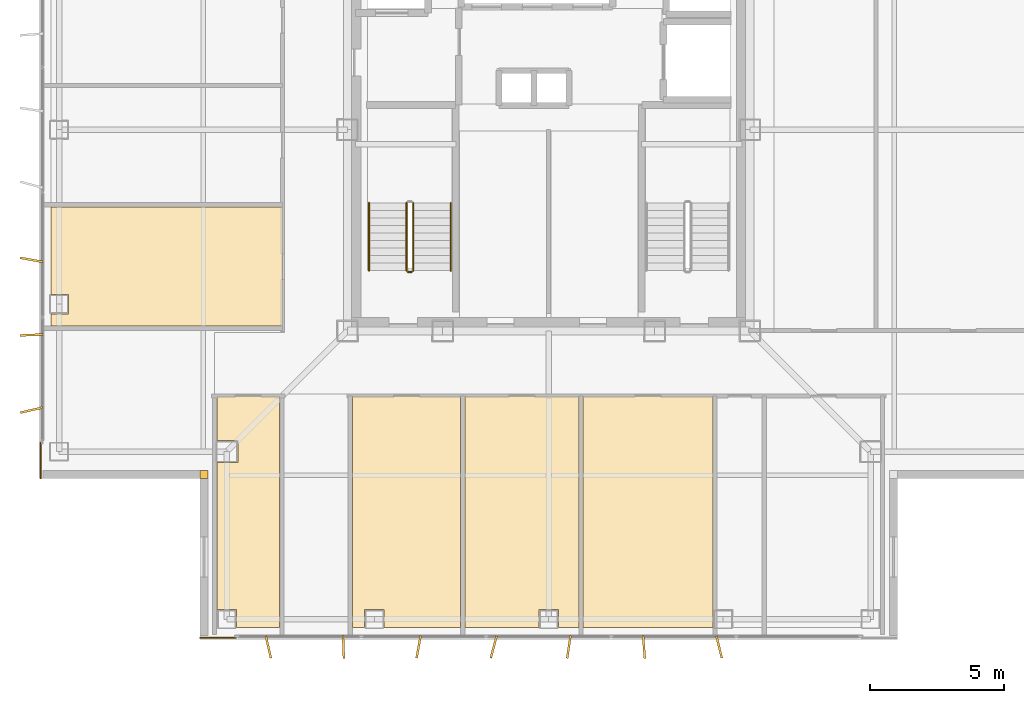
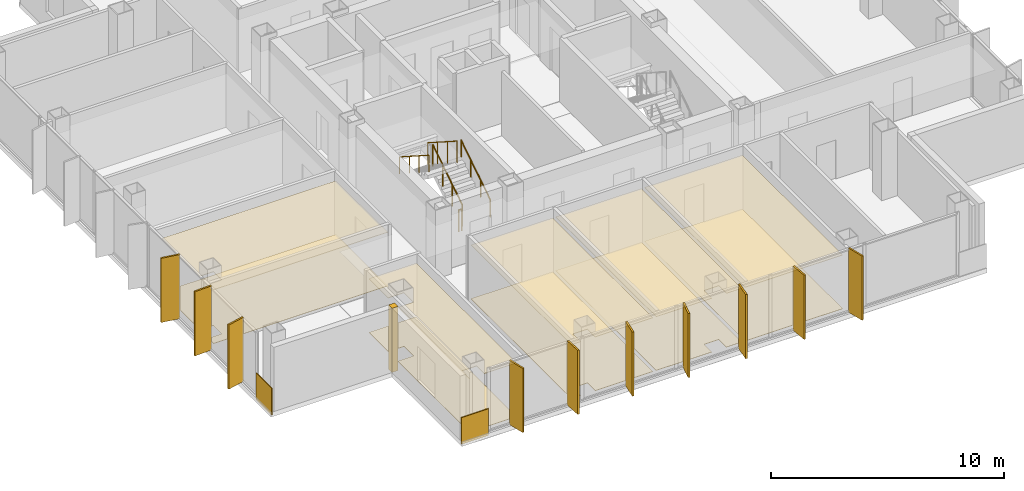
# One storey, part 10 of 15: 13 coverings, 10 shading devices, 5 railings.
"""IFC4 building model written with IfcOpenShell, lengths in metres."""

from ifc_helpers import new_model, si_unit, direction, frame, frame_2d, origin, origin_2d, place, context, subcontext, project, spatial, polyline, rectangle, circle, outline, extrude, material, layer, layer_set, type_object, element, save


model = new_model("IFC4")

# Units and contexts
model_context = context("Model", 3, precision=1e-05, world=origin(), true_north=direction((0.0, 1.0)))
body_context = subcontext(model_context, "Body", "Model", "MODEL_VIEW")
ifc_project = project(units=[si_unit("LENGTHUNIT", "METRE"), si_unit("AREAUNIT", "SQUARE_METRE"), si_unit("VOLUMEUNIT", "CUBIC_METRE"), si_unit("PLANEANGLEUNIT", "RADIAN"), si_unit("MASSUNIT", "GRAM", prefix="KILO")], contexts=[model_context])

# Site, building, storey
site_placement = place(None, origin())
site = spatial("IfcSite", under=ifc_project, at=site_placement, CompositionType="ELEMENT")
building_placement = place(site_placement, origin())
building = spatial("IfcBuilding", under=site, at=building_placement, Name="Trevonay Congress Spire", CompositionType="ELEMENT")
storey_placement = place(building_placement, frame((0.0, 0.0, 239.60009765625)))
storey = spatial("IfcBuildingStorey", under=building, at=storey_placement, Name="L62", CompositionType="ELEMENT", Elevation=239.60009765625)

# Coverings
ifc_material_1 = material(Name="Acoustic Mineral Fibre Board", Category="gypsum")
ifc_layer_1 = layer(ifc_material_1, 0.02490234375, Name="Acoustic Mineral Fibre Board")
ifc_layer_set_1 = layer_set([ifc_layer_1], Name="Acoustic Mineral Fibre Board")
covering_type_1 = type_object("IfcCoveringType", Name="COV-CEIL-ACOUSTIC", PredefinedType="CEILING", material=ifc_layer_set_1)
covering_1_placement = place(storey_placement, frame((0.0, 0.0, 2.809814453125)))
element("IfcCovering", 1, at=covering_1_placement, inside=storey, type_object=covering_type_1, Name="L62 Ambassador Corner Office acoustic suspended ceiling", PredefinedType="CEILING", context=body_context, shape_type="SweptSolid", body=[
    extrude(outline(polyline([(-12.3701171875, -18.550048828125), (-12.3701171875, -12.409912109375), (-11.590087890625, -12.409912109375), (-11.590087890625, -11.590087890625), (-12.3701171875, -11.590087890625), (-12.3701171875, -9.929931640625), (-10.030029296875, -9.929931640625), (-10.030029296875, -18.550048828125), (-11.639892578125, -18.550048828125), (-11.639892578125, -17.889892578125), (-12.360107421875, -17.889892578125), (-12.360107421875, -18.550048828125), (-12.3701171875, -18.550048828125)])), origin(), (0.0, 0.0, 1.0), 0.025146484375),
])
covering_2_placement = place(storey_placement, frame((0.0, 0.0, 2.809814453125)))
element("IfcCovering", 2, at=covering_2_placement, inside=storey, type_object=covering_type_1, Name="L62 Consular Visa Office acoustic suspended ceiling", PredefinedType="CEILING", context=body_context, shape_type="SweptSolid", body=[
    extrude(outline(polyline([(-7.320068359375, -18.550048828125), (-7.320068359375, -9.929931640625), (-3.280029296875, -9.929931640625), (-3.280029296875, -18.550048828125), (-6.139892578125, -18.550048828125), (-6.139892578125, -17.889892578125), (-6.860107421875, -17.889892578125), (-6.860107421875, -18.550048828125), (-7.320068359375, -18.550048828125)])), origin(), (0.0, 0.0, 1.0), 0.025146484375),
])
covering_3_placement = place(storey_placement, frame((0.0, 0.0, 2.809814453125)))
element("IfcCovering", 3, at=covering_3_placement, inside=storey, type_object=covering_type_1, Name="L62 Political Chancery Office acoustic suspended ceiling", PredefinedType="CEILING", context=body_context, shape_type="SweptSolid", body=[
    extrude(outline(polyline([(-3.1201171875, -18.550048828125), (-3.1201171875, -9.929931640625), (1.1201171875, -9.929931640625), (1.1201171875, -18.550048828125), (0.360107421875, -18.550048828125), (0.360107421875, -17.889892578125), (-0.360107421875, -17.889892578125), (-0.360107421875, -18.550048828125), (-3.1201171875, -18.550048828125)])), origin(), (0.0, 0.0, 1.0), 0.025146484375),
])
covering_4_placement = place(storey_placement, frame((0.0, 0.0, 2.809814453125)))
element("IfcCovering", 4, at=covering_4_placement, inside=storey, type_object=covering_type_1, Name="L62 Economic Attache Office acoustic suspended ceiling", PredefinedType="CEILING", context=body_context, shape_type="SweptSolid", body=[
    extrude(outline(polyline([(1.280029296875, -18.550048828125), (6.1201171875, -18.550048828125), (6.1201171875, -9.929931640625), (1.280029296875, -9.929931640625), (1.280029296875, -18.550048828125)])), origin(), (0.0, 0.0, 1.0), 0.025146484375),
])
covering_5_placement = place(storey_placement, frame((0.0, 0.0, 2.809814453125)))
element("IfcCovering", 5, at=covering_5_placement, inside=storey, type_object=covering_type_1, Name="L62 Cultural Attache Office acoustic suspended ceiling", PredefinedType="CEILING", context=body_context, shape_type="SweptSolid", body=[
    extrude(outline(polyline([(-18.550048828125, -2.8798828125), (-9.929931640625, -2.8798828125), (-9.929931640625, -7.320068359375), (-18.550048828125, -7.320068359375), (-18.550048828125, -6.860107421875), (-17.889892578125, -6.860107421875), (-17.889892578125, -6.139892578125), (-18.550048828125, -6.139892578125), (-18.550048828125, -2.8798828125)])), origin(), (0.0, 0.0, 1.0), 0.025146484375),
])
ifc_material_2 = material(Name="Engineered Oak Flooring", Category="wood")
ifc_layer_2 = layer(ifc_material_2, 0.01806640625, Name="Engineered Oak Flooring")
ifc_layer_set_2 = layer_set([ifc_layer_2], Name="Engineered Oak Flooring")
covering_type_2 = type_object("IfcCoveringType", Name="COV-FLOOR-TIMBER", PredefinedType="FLOORING", material=ifc_layer_set_2)
covering_6_placement = place(storey_placement, origin())
element("IfcCovering", 6, at=covering_6_placement, inside=storey, type_object=covering_type_2, Name="L62 Ambassador Corner Office floor finish", PredefinedType="FLOORING", context=body_context, shape_type="SweptSolid", body=[
    extrude(outline(polyline([(-12.3701171875, -18.550048828125), (-12.3701171875, -12.409912109375), (-11.590087890625, -12.409912109375), (-11.590087890625, -11.590087890625), (-12.3701171875, -11.590087890625), (-12.3701171875, -9.929931640625), (-10.030029296875, -9.929931640625), (-10.030029296875, -18.550048828125), (-11.639892578125, -18.550048828125), (-11.639892578125, -17.889892578125), (-12.360107421875, -17.889892578125), (-12.360107421875, -18.550048828125), (-12.3701171875, -18.550048828125)])), origin(), (0.0, 0.0, 1.0), 0.017822265625),
])
covering_7_placement = place(storey_placement, origin())
element("IfcCovering", 7, at=covering_7_placement, inside=storey, type_object=covering_type_2, Name="L62 Consular Visa Office floor finish", PredefinedType="FLOORING", context=body_context, shape_type="SweptSolid", body=[
    extrude(outline(polyline([(-7.320068359375, -18.550048828125), (-7.320068359375, -9.929931640625), (-3.280029296875, -9.929931640625), (-3.280029296875, -18.550048828125), (-6.139892578125, -18.550048828125), (-6.139892578125, -17.889892578125), (-6.860107421875, -17.889892578125), (-6.860107421875, -18.550048828125), (-7.320068359375, -18.550048828125)])), origin(), (0.0, 0.0, 1.0), 0.017822265625),
])
covering_8_placement = place(storey_placement, origin())
element("IfcCovering", 8, at=covering_8_placement, inside=storey, type_object=covering_type_2, Name="L62 Political Chancery Office floor finish", PredefinedType="FLOORING", context=body_context, shape_type="SweptSolid", body=[
    extrude(outline(polyline([(-3.1201171875, -18.550048828125), (-3.1201171875, -9.929931640625), (1.1201171875, -9.929931640625), (1.1201171875, -18.550048828125), (0.360107421875, -18.550048828125), (0.360107421875, -17.889892578125), (-0.360107421875, -17.889892578125), (-0.360107421875, -18.550048828125), (-3.1201171875, -18.550048828125)])), origin(), (0.0, 0.0, 1.0), 0.017822265625),
])
covering_9_placement = place(storey_placement, origin())
element("IfcCovering", 9, at=covering_9_placement, inside=storey, type_object=covering_type_2, Name="L62 Economic Attache Office floor finish", PredefinedType="FLOORING", context=body_context, shape_type="SweptSolid", body=[
    extrude(outline(polyline([(1.280029296875, -18.550048828125), (6.1201171875, -18.550048828125), (6.1201171875, -9.929931640625), (1.280029296875, -9.929931640625), (1.280029296875, -18.550048828125)])), origin(), (0.0, 0.0, 1.0), 0.017822265625),
])
covering_10_placement = place(storey_placement, origin())
element("IfcCovering", 10, at=covering_10_placement, inside=storey, type_object=covering_type_2, Name="L62 Cultural Attache Office floor finish", PredefinedType="FLOORING", context=body_context, shape_type="SweptSolid", body=[
    extrude(outline(polyline([(-18.550048828125, -2.8798828125), (-9.929931640625, -2.8798828125), (-9.929931640625, -7.320068359375), (-18.550048828125, -7.320068359375), (-18.550048828125, -6.860107421875), (-17.889892578125, -6.860107421875), (-17.889892578125, -6.139892578125), (-18.550048828125, -6.139892578125), (-18.550048828125, -2.8798828125)])), origin(), (0.0, 0.0, 1.0), 0.017822265625),
])
ifc_material_3 = material(Name="Pale Anodised Aluminium EN AW-6063-T6", Category="aluminium")
ifc_layer_3 = layer(ifc_material_3, 0.0400390625, Name="Pale Anodised Aluminium EN AW-6063-T6")
ifc_layer_set_3 = layer_set([ifc_layer_3], Name="Pale Anodised Aluminium EN AW-6063-T6")
covering_type_3 = type_object("IfcCoveringType", Name="COV-SPANDREL-PALE-METAL", PredefinedType="CLADDING", material=ifc_layer_set_3)
covering_11_placement = place(storey_placement, origin())
element("IfcCovering", 11, at=covering_11_placement, inside=storey, type_object=covering_type_3, Name="L62 SW re-entrant notch corner closure trim", PredefinedType="CLADDING", context=body_context, shape_type="SweptSolid", body=[
    extrude(outline(polyline([(-13.0, -13.0), (-12.699951171875, -13.0), (-12.699951171875, -12.699951171875), (-13.0, -12.699951171875), (-13.0, -13.0)])), origin(), (0.0, 0.0, 1.0), 3.35986328125),
])
for number, where, z_axis, x_axis, name in (
    (12, (-18.93994140625, -11.64990234375, -0.150146484375), (0.0, 0.0, 1.0), (0.0, -1.0, 0.0), "L62 SW corner pier spandrel cladding 1"),
    (13, (-11.64990234375, -18.93994140625, -0.150146484375), (0.0, 0.0, 1.0), (-1.0, 0.0, 0.0), "L62 SW corner pier spandrel cladding 2"),
):
    element("IfcCovering", number, at=place(storey_placement, frame(where, z_axis=z_axis, x_axis=x_axis)), inside=storey, type_object=covering_type_3, Name=name, PredefinedType="CLADDING", context=body_context, shape_type="SweptSolid", body=[
        extrude(rectangle(XDim=1.35009765625, YDim=0.0400390625, at=frame_2d((0.675048828125, 0.0))), origin(), (0.0, 0.0, 1.0), 1.400146484375),
    ])

# Railings
railing_type_1 = type_object("IfcRailingType", Name="RAL-STAIR-GUARD-110", PredefinedType="GUARDRAIL", material=ifc_material_3)
railing_1_placement = place(storey_placement, frame((-5.050048828125, -5.25, 0.179931640625)))
element("IfcRailing", 14, at=railing_1_placement, inside=storey, type_object=railing_type_1, Name="L62 ST-1 stair guard 1", PredefinedType="GUARDRAIL", context=body_context, shape_type="SweptSolid", body=[
    extrude(circle(Radius=0.02392578125, at=origin_2d()), frame((0.0, 0.0, 1.1259765625), z_axis=(0.0, 0.841199657755, 0.540724639528), x_axis=(-1.0, 0.0, 0.0)), (0.0, 0.0, 1.0), 2.995849609375),
    extrude(circle(Radius=0.02099609375, at=origin_2d()), origin(), (0.0, 0.0, 1.0), 1.101806640625),
    extrude(circle(Radius=0.02099609375, at=origin_2d()), frame((0.0, 0.840087890625, 0.5400390625)), (0.0, 0.0, 1.0), 1.101806640625),
    extrude(circle(Radius=0.02099609375, at=origin_2d()), frame((0.0, 1.679931640625, 1.079833984375)), (0.0, 0.0, 1.0), 1.101806640625),
    extrude(circle(Radius=0.02099609375, at=origin_2d()), frame((0.0, 2.52001953125, 1.619873046875)), (0.0, 0.0, 1.0), 1.101806640625),
])
railing_2_placement = place(storey_placement, frame((-5.300048828125, -2.72998046875, 1.97998046875)))
element("IfcRailing", 15, at=railing_2_placement, inside=storey, type_object=railing_type_1, Name="L62 ST-1 stair guard 3", PredefinedType="GUARDRAIL", context=body_context, shape_type="SweptSolid", body=[
    extrude(circle(Radius=0.02392578125, at=origin_2d()), frame((0.0, 0.0, 1.1259765625), z_axis=(0.0, -0.841199657755, 0.540724639528), x_axis=(1.0, 0.0, 0.0)), (0.0, 0.0, 1.0), 2.995849609375),
    extrude(circle(Radius=0.02099609375, at=origin_2d()), origin(), (0.0, 0.0, 1.0), 1.101806640625),
    extrude(circle(Radius=0.02099609375, at=origin_2d()), frame((0.0, -0.840087890625, 0.5400390625)), (0.0, 0.0, 1.0), 1.101806640625),
    extrude(circle(Radius=0.02099609375, at=origin_2d()), frame((0.0, -1.679931640625, 1.079833984375)), (0.0, 0.0, 1.0), 1.101806640625),
    extrude(circle(Radius=0.02099609375, at=origin_2d()), frame((0.0, -2.52001953125, 1.619873046875)), (0.0, 0.0, 1.0), 1.101806640625),
])
railing_3_placement = place(storey_placement, frame((-5.10009765625, -5.300048828125, 0.0)))
element("IfcRailing", 16, at=railing_3_placement, inside=storey, type_object=railing_type_1, Name="L62 ST-1 stair guard 4", PredefinedType="GUARDRAIL", context=body_context, shape_type="SweptSolid", body=[
    extrude(circle(Radius=0.02392578125, at=origin_2d()), frame((0.0, 0.0, 1.1259765625), z_axis=(-1.0, 0.0, 0.0), x_axis=(0.0, -1.0, 0.0)), (0.0, 0.0, 1.0), 0.14990234375),
    extrude(circle(Radius=0.02099609375, at=origin_2d()), origin(), (0.0, 0.0, 1.0), 1.101806640625),
    extrude(circle(Radius=0.02099609375, at=origin_2d()), frame((-0.14990234375, 0.0, 0.0)), (0.0, 0.0, 1.0), 1.101806640625),
])
railing_type_2 = type_object("IfcRailingType", Name="RAL-STAIR-HANDRAIL", PredefinedType="HANDRAIL", material=ifc_material_3)
railing_4_placement = place(storey_placement, frame((-3.64990234375, -5.25, 0.179931640625)))
element("IfcRailing", 17, at=railing_4_placement, inside=storey, type_object=railing_type_2, Name="L62 ST-1 stair handrail 1", PredefinedType="HANDRAIL", context=body_context, shape_type="SweptSolid", body=[
    extrude(circle(Radius=0.02392578125, at=origin_2d()), frame((0.0, 0.0, 0.8759765625), z_axis=(0.0, 0.841199657755, 0.540724639528), x_axis=(-1.0, 0.0, 0.0)), (0.0, 0.0, 1.0), 2.995849609375),
    extrude(circle(Radius=0.02099609375, at=origin_2d()), origin(), (0.0, 0.0, 1.0), 0.851806640625),
    extrude(circle(Radius=0.02099609375, at=origin_2d()), frame((0.0, 0.840087890625, 0.5400390625)), (0.0, 0.0, 1.0), 0.851806640625),
    extrude(circle(Radius=0.02099609375, at=origin_2d()), frame((0.0, 1.679931640625, 1.079833984375)), (0.0, 0.0, 1.0), 0.851806640625),
    extrude(circle(Radius=0.02099609375, at=origin_2d()), frame((0.0, 2.52001953125, 1.619873046875)), (0.0, 0.0, 1.0), 0.851806640625),
])
railing_5_placement = place(storey_placement, frame((-6.699951171875, -2.72998046875, 1.97998046875)))
element("IfcRailing", 18, at=railing_5_placement, inside=storey, type_object=railing_type_2, Name="L62 ST-1 stair handrail 2", PredefinedType="HANDRAIL", context=body_context, shape_type="SweptSolid", body=[
    extrude(circle(Radius=0.02392578125, at=origin_2d()), frame((0.0, 0.0, 0.8759765625), z_axis=(0.0, -0.841199657755, 0.540724639528), x_axis=(1.0, 0.0, 0.0)), (0.0, 0.0, 1.0), 2.995849609375),
    extrude(circle(Radius=0.02099609375, at=origin_2d()), origin(), (0.0, 0.0, 1.0), 0.851806640625),
    extrude(circle(Radius=0.02099609375, at=origin_2d()), frame((0.0, -0.840087890625, 0.5400390625)), (0.0, 0.0, 1.0), 0.851806640625),
    extrude(circle(Radius=0.02099609375, at=origin_2d()), frame((0.0, -1.679931640625, 1.079833984375)), (0.0, 0.0, 1.0), 0.851806640625),
    extrude(circle(Radius=0.02099609375, at=origin_2d()), frame((0.0, -2.52001953125, 1.619873046875)), (0.0, 0.0, 1.0), 0.851806640625),
])

# Shading devices
shading_device_type = type_object("IfcShadingDeviceType", Name="SHD-FIN-Z4-PALE-METAL", PredefinedType="USERDEFINED", material=ifc_material_3)
for number, where, z_axis, x_axis, name in (
    (19, (-10.449951171875, -19.280029296875, 0.0), (0.0, 0.0, 1.0), (0.97440931131, 0.224780991261, 0.0), "L62 S vertical pale-metal solar fin 1"),
    (20, (-7.64990234375, -19.280029296875, 0.0), (0.0, 0.0, 1.0), (0.999235873152, 0.039085416795, 0.0), "L62 S vertical pale-metal solar fin 2"),
    (21, (-4.85009765625, -19.280029296875, 0.0), (0.0, 0.0, 1.0), (0.984195607969, -0.17708474032, 0.0), "L62 S vertical pale-metal solar fin 3"),
    (22, (-2.050048828125, -19.280029296875, 0.0), (0.0, 0.0, 1.0), (0.966106280664, -0.258144638645, 0.0), "L62 S vertical pale-metal solar fin 4"),
    (23, (0.75, -19.280029296875, 0.0), (0.0, 0.0, 1.0), (0.989144474801, -0.146946275799, 0.0), "L62 S vertical pale-metal solar fin 5"),
    (24, (3.550048828125, -19.280029296875, 0.0), (0.0, 0.0, 1.0), (0.997025911491, 0.077067060513, 0.0), "L62 S vertical pale-metal solar fin 6"),
    (25, (6.35009765625, -19.280029296875, 0.0), (0.0, 0.0, 1.0), (0.970464383152, 0.241244442494, 0.0), "L62 S vertical pale-metal solar fin 7"),
    (26, (-19.280029296875, -10.449951171875, 0.0), (0.0, 0.0, 1.0), (-0.224780991261, 0.97440931131, 0.0), "L62 W vertical pale-metal solar fin 1"),
    (27, (-19.280029296875, -7.64990234375, 0.0), (0.0, 0.0, 1.0), (-0.039085416795, 0.999235873152, 0.0), "L62 W vertical pale-metal solar fin 2"),
    (28, (-19.280029296875, -4.85009765625, 0.0), (0.0, 0.0, 1.0), (0.17708474032, 0.984195607969, 0.0), "L62 W vertical pale-metal solar fin 3"),
):
    element("IfcShadingDevice", number, at=place(storey_placement, frame(where, z_axis=z_axis, x_axis=x_axis)), inside=storey, type_object=shading_device_type, Name=name, ObjectType="SOLAR FIN", PredefinedType="USERDEFINED", context=body_context, shape_type="SweptSolid", body=[
        extrude(rectangle(XDim=0.080078125, YDim=0.85009765625, at=origin_2d()), origin(), (0.0, 0.0, 1.0), 3.360107421875),
    ])

save(model, "model.ifc")
